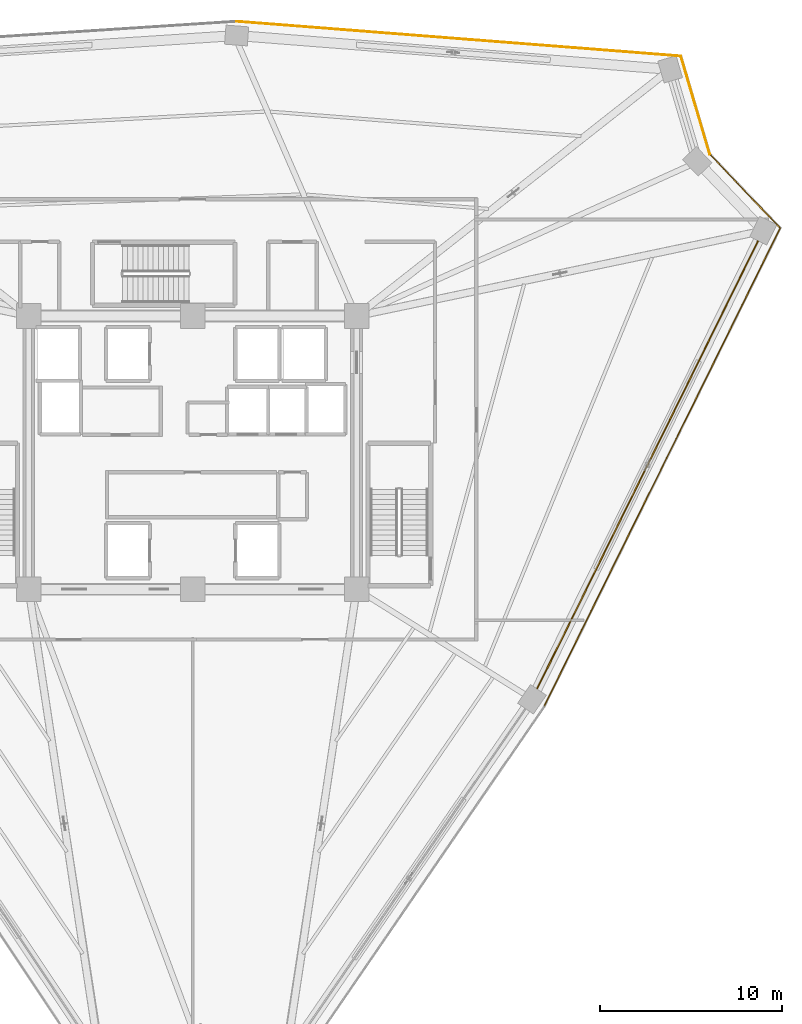
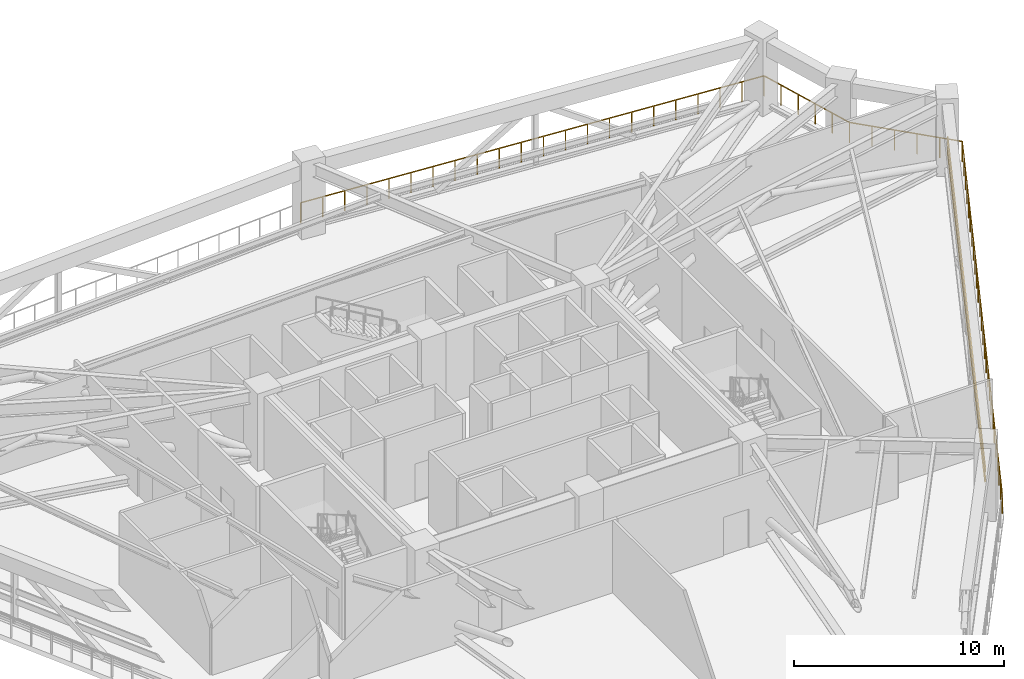
# One storey, part 22 of 22: 4 railings, 2 shading devices.
"""IFC4 building model written with IfcOpenShell, lengths in metres."""

from ifc_helpers import new_model, si_unit, direction, frame, origin, origin_2d, place, context, subcontext, project, spatial, rectangle, extrude, source, transform, mapped, material, material_profile, profile_set, type_object, element, save


model = new_model("IFC4")

# Units and contexts
model_context = context("Model", 3, precision=1e-05, world=origin(), true_north=direction((0.0, 1.0)))
body_context = subcontext(model_context, "Body", "Model", "MODEL_VIEW")
ifc_project = project(units=[si_unit("LENGTHUNIT", "METRE"), si_unit("AREAUNIT", "SQUARE_METRE"), si_unit("VOLUMEUNIT", "CUBIC_METRE"), si_unit("PLANEANGLEUNIT", "RADIAN"), si_unit("MASSUNIT", "GRAM", prefix="KILO")], contexts=[model_context])

# Site, building, storey
site_placement = place(None, origin())
site = spatial("IfcSite", under=ifc_project, at=site_placement, CompositionType="ELEMENT")
building_placement = place(site_placement, origin())
building = spatial("IfcBuilding", under=site, at=building_placement, Name="Liaohun Quay Tower", CompositionType="ELEMENT")
storey_placement = place(building_placement, frame((0.0, 0.0, 277.5)))
storey = spatial("IfcBuildingStorey", under=building, at=storey_placement, Name="L72", CompositionType="ELEMENT", Elevation=277.5)

# Railings
ifc_material_1 = material(Name="Galvanised and powder-coated steel", Category="steel")
railing_type = type_object("IfcRailingType", Name="RLG-GUARD-EXT", PredefinedType="GUARDRAIL", material=ifc_material_1)
railing_1_placement = place(storey_placement, frame((62.416015625, 77.6708984375, 0.0)))
element("IfcRailing", 1, at=railing_1_placement, inside=storey, type_object=railing_type, Name="L72 Open Refuge Band Perimeter Guardrail 06", PredefinedType="GUARDRAIL", context=body_context, shape_type="SweptSolid", body=[
    extrude(rectangle(XDim=0.048095703125, YDim=0.048095703125, at=origin_2d()), frame((0.0, 0.0, 1.17578125), z_axis=(0.996965688997, -0.077842244078, 0.0), x_axis=(0.077842244078, 0.996965688997, 0.0)), (0.0, 0.0, 1.0), 24.457275390625),
    extrude(rectangle(XDim=0.0419921875, YDim=0.0419921875, at=origin_2d()), origin(), (0.0, 0.0, 1.0), 1.15185546875),
    extrude(rectangle(XDim=0.0419921875, YDim=0.0419921875, at=origin_2d()), frame((1.1611328125, -0.090576171875, 0.0)), (0.0, 0.0, 1.0), 1.15185546875),
    extrude(rectangle(XDim=0.0419921875, YDim=0.0419921875, at=origin_2d()), frame((2.322265625, -0.181396484375, 0.0)), (0.0, 0.0, 1.0), 1.15185546875),
    extrude(rectangle(XDim=0.0419921875, YDim=0.0419921875, at=origin_2d()), frame((3.4833984375, -0.27197265625, 0.0)), (0.0, 0.0, 1.0), 1.15185546875),
    extrude(rectangle(XDim=0.0419921875, YDim=0.0419921875, at=origin_2d()), frame((4.644287109375, -0.362548828125, 0.0)), (0.0, 0.0, 1.0), 1.15185546875),
    extrude(rectangle(XDim=0.0419921875, YDim=0.0419921875, at=origin_2d()), frame((5.805419921875, -0.453369140625, 0.0)), (0.0, 0.0, 1.0), 1.15185546875),
    extrude(rectangle(XDim=0.0419921875, YDim=0.0419921875, at=origin_2d()), frame((6.966552734375, -0.5439453125, 0.0)), (0.0, 0.0, 1.0), 1.15185546875),
    extrude(rectangle(XDim=0.0419921875, YDim=0.0419921875, at=origin_2d()), frame((8.127685546875, -0.634521484375, 0.0)), (0.0, 0.0, 1.0), 1.15185546875),
    extrude(rectangle(XDim=0.0419921875, YDim=0.0419921875, at=origin_2d()), frame((9.288818359375, -0.725341796875, 0.0)), (0.0, 0.0, 1.0), 1.15185546875),
    extrude(rectangle(XDim=0.0419921875, YDim=0.0419921875, at=origin_2d()), frame((10.449951171875, -0.81591796875, 0.0)), (0.0, 0.0, 1.0), 1.15185546875),
    extrude(rectangle(XDim=0.0419921875, YDim=0.0419921875, at=origin_2d()), frame((11.611083984375, -0.906494140625, 0.0)), (0.0, 0.0, 1.0), 1.15185546875),
    extrude(rectangle(XDim=0.0419921875, YDim=0.0419921875, at=origin_2d()), frame((12.77197265625, -0.997314453125, 0.0)), (0.0, 0.0, 1.0), 1.15185546875),
    extrude(rectangle(XDim=0.0419921875, YDim=0.0419921875, at=origin_2d()), frame((13.93310546875, -1.087890625, 0.0)), (0.0, 0.0, 1.0), 1.15185546875),
    extrude(rectangle(XDim=0.0419921875, YDim=0.0419921875, at=origin_2d()), frame((15.09423828125, -1.178466796875, 0.0)), (0.0, 0.0, 1.0), 1.15185546875),
    extrude(rectangle(XDim=0.0419921875, YDim=0.0419921875, at=origin_2d()), frame((16.25537109375, -1.269287109375, 0.0)), (0.0, 0.0, 1.0), 1.15185546875),
    extrude(rectangle(XDim=0.0419921875, YDim=0.0419921875, at=origin_2d()), frame((17.41650390625, -1.35986328125, 0.0)), (0.0, 0.0, 1.0), 1.15185546875),
    extrude(rectangle(XDim=0.0419921875, YDim=0.0419921875, at=origin_2d()), frame((18.57763671875, -1.450439453125, 0.0)), (0.0, 0.0, 1.0), 1.15185546875),
    extrude(rectangle(XDim=0.0419921875, YDim=0.0419921875, at=origin_2d()), frame((19.73876953125, -1.541259765625, 0.0)), (0.0, 0.0, 1.0), 1.15185546875),
    extrude(rectangle(XDim=0.0419921875, YDim=0.0419921875, at=origin_2d()), frame((20.899658203125, -1.6318359375, 0.0)), (0.0, 0.0, 1.0), 1.15185546875),
    extrude(rectangle(XDim=0.0419921875, YDim=0.0419921875, at=origin_2d()), frame((22.060791015625, -1.722412109375, 0.0)), (0.0, 0.0, 1.0), 1.15185546875),
    extrude(rectangle(XDim=0.0419921875, YDim=0.0419921875, at=origin_2d()), frame((23.221923828125, -1.813232421875, 0.0)), (0.0, 0.0, 1.0), 1.15185546875),
    extrude(rectangle(XDim=0.0419921875, YDim=0.0419921875, at=origin_2d()), frame((24.383056640625, -1.90380859375, 0.0)), (0.0, 0.0, 1.0), 1.15185546875),
])
railing_2_placement = place(storey_placement, frame((86.799072265625, 75.76708984375, 0.0)))
element("IfcRailing", 2, at=railing_2_placement, inside=storey, type_object=railing_type, Name="L72 Open Refuge Band Perimeter Guardrail 07", PredefinedType="GUARDRAIL", context=body_context, shape_type="SweptSolid", body=[
    extrude(rectangle(XDim=0.048095703125, YDim=0.048095703125, at=origin_2d()), frame((0.0, 0.0, 1.17578125), z_axis=(0.282635341525, -0.959227430655, 0.0), x_axis=(0.959227430655, 0.282635341525, 0.0)), (0.0, 0.0, 1.0), 5.60791015625),
    extrude(rectangle(XDim=0.0419921875, YDim=0.0419921875, at=origin_2d()), origin(), (0.0, 0.0, 1.0), 1.15185546875),
    extrude(rectangle(XDim=0.0419921875, YDim=0.0419921875, at=origin_2d()), frame((0.31689453125, -1.075927734375, 0.0)), (0.0, 0.0, 1.0), 1.15185546875),
    extrude(rectangle(XDim=0.0419921875, YDim=0.0419921875, at=origin_2d()), frame((0.634033203125, -2.151611328125, 0.0)), (0.0, 0.0, 1.0), 1.15185546875),
    extrude(rectangle(XDim=0.0419921875, YDim=0.0419921875, at=origin_2d()), frame((0.950927734375, -3.2275390625, 0.0)), (0.0, 0.0, 1.0), 1.15185546875),
    extrude(rectangle(XDim=0.0419921875, YDim=0.0419921875, at=origin_2d()), frame((1.26806640625, -4.30322265625, 0.0)), (0.0, 0.0, 1.0), 1.15185546875),
    extrude(rectangle(XDim=0.0419921875, YDim=0.0419921875, at=origin_2d()), frame((1.5849609375, -5.379150390625, 0.0)), (0.0, 0.0, 1.0), 1.15185546875),
])
railing_3_placement = place(storey_placement, frame((88.384033203125, 70.387939453125, 0.0)))
element("IfcRailing", 3, at=railing_3_placement, inside=storey, type_object=railing_type, Name="L72 Open Refuge Band Perimeter Guardrail 08", PredefinedType="GUARDRAIL", context=body_context, shape_type="SweptSolid", body=[
    extrude(rectangle(XDim=0.048095703125, YDim=0.048095703125, at=origin_2d()), frame((0.0, 0.0, 1.17578125), z_axis=(0.689319133401, -0.724457819564, 0.0), x_axis=(0.724457819564, 0.689319133401, 0.0)), (0.0, 0.0, 1.0), 5.60693359375),
    extrude(rectangle(XDim=0.0419921875, YDim=0.0419921875, at=origin_2d()), origin(), (0.0, 0.0, 1.0), 1.15185546875),
    extrude(rectangle(XDim=0.0419921875, YDim=0.0419921875, at=origin_2d()), frame((0.77294921875, -0.8125, 0.0)), (0.0, 0.0, 1.0), 1.15185546875),
    extrude(rectangle(XDim=0.0419921875, YDim=0.0419921875, at=origin_2d()), frame((1.5458984375, -1.624755859375, 0.0)), (0.0, 0.0, 1.0), 1.15185546875),
    extrude(rectangle(XDim=0.0419921875, YDim=0.0419921875, at=origin_2d()), frame((2.319091796875, -2.437255859375, 0.0)), (0.0, 0.0, 1.0), 1.15185546875),
    extrude(rectangle(XDim=0.0419921875, YDim=0.0419921875, at=origin_2d()), frame((3.092041015625, -3.24951171875, 0.0)), (0.0, 0.0, 1.0), 1.15185546875),
    extrude(rectangle(XDim=0.0419921875, YDim=0.0419921875, at=origin_2d()), frame((3.864990234375, -4.06201171875, 0.0)), (0.0, 0.0, 1.0), 1.15185546875),
])
railing_4_placement = place(storey_placement, frame((92.2490234375, 66.325927734375, 0.0)))
element("IfcRailing", 4, at=railing_4_placement, inside=storey, type_object=railing_type, Name="L72 Open Refuge Band Perimeter Guardrail 09", PredefinedType="GUARDRAIL", context=body_context, shape_type="SweptSolid", body=[
    extrude(rectangle(XDim=0.048095703125, YDim=0.048095703125, at=origin_2d()), frame((0.0, 0.0, 1.17578125), z_axis=(-0.442591267538, -0.896723463448, 0.0), x_axis=(0.896723463448, -0.442591267538, 0.0)), (0.0, 0.0, 1.0), 29.277587890625),
    extrude(rectangle(XDim=0.0419921875, YDim=0.0419921875, at=origin_2d()), origin(), (0.0, 0.0, 1.0), 1.15185546875),
    extrude(rectangle(XDim=0.0419921875, YDim=0.0419921875, at=origin_2d()), frame((-0.518310546875, -1.050048828125, 0.0)), (0.0, 0.0, 1.0), 1.15185546875),
    extrude(rectangle(XDim=0.0419921875, YDim=0.0419921875, at=origin_2d()), frame((-1.03662109375, -2.100341796875, 0.0)), (0.0, 0.0, 1.0), 1.15185546875),
    extrude(rectangle(XDim=0.0419921875, YDim=0.0419921875, at=origin_2d()), frame((-1.554931640625, -3.150390625, 0.0)), (0.0, 0.0, 1.0), 1.15185546875),
    extrude(rectangle(XDim=0.0419921875, YDim=0.0419921875, at=origin_2d()), frame((-2.0732421875, -4.20068359375, 0.0)), (0.0, 0.0, 1.0), 1.15185546875),
    extrude(rectangle(XDim=0.0419921875, YDim=0.0419921875, at=origin_2d()), frame((-2.591552734375, -5.250732421875, 0.0)), (0.0, 0.0, 1.0), 1.15185546875),
    extrude(rectangle(XDim=0.0419921875, YDim=0.0419921875, at=origin_2d()), frame((-3.10986328125, -6.301025390625, 0.0)), (0.0, 0.0, 1.0), 1.15185546875),
    extrude(rectangle(XDim=0.0419921875, YDim=0.0419921875, at=origin_2d()), frame((-3.628173828125, -7.35107421875, 0.0)), (0.0, 0.0, 1.0), 1.15185546875),
    extrude(rectangle(XDim=0.0419921875, YDim=0.0419921875, at=origin_2d()), frame((-4.146484375, -8.4013671875, 0.0)), (0.0, 0.0, 1.0), 1.15185546875),
    extrude(rectangle(XDim=0.0419921875, YDim=0.0419921875, at=origin_2d()), frame((-4.664794921875, -9.451416015625, 0.0)), (0.0, 0.0, 1.0), 1.15185546875),
    extrude(rectangle(XDim=0.0419921875, YDim=0.0419921875, at=origin_2d()), frame((-5.18310546875, -10.50146484375, 0.0)), (0.0, 0.0, 1.0), 1.15185546875),
    extrude(rectangle(XDim=0.0419921875, YDim=0.0419921875, at=origin_2d()), frame((-5.701416015625, -11.5517578125, 0.0)), (0.0, 0.0, 1.0), 1.15185546875),
    extrude(rectangle(XDim=0.0419921875, YDim=0.0419921875, at=origin_2d()), frame((-6.2197265625, -12.601806640625, 0.0)), (0.0, 0.0, 1.0), 1.15185546875),
    extrude(rectangle(XDim=0.0419921875, YDim=0.0419921875, at=origin_2d()), frame((-6.73828125, -13.652099609375, 0.0)), (0.0, 0.0, 1.0), 1.15185546875),
    extrude(rectangle(XDim=0.0419921875, YDim=0.0419921875, at=origin_2d()), frame((-7.256591796875, -14.7021484375, 0.0)), (0.0, 0.0, 1.0), 1.15185546875),
    extrude(rectangle(XDim=0.0419921875, YDim=0.0419921875, at=origin_2d()), frame((-7.77490234375, -15.75244140625, 0.0)), (0.0, 0.0, 1.0), 1.15185546875),
    extrude(rectangle(XDim=0.0419921875, YDim=0.0419921875, at=origin_2d()), frame((-8.293212890625, -16.802490234375, 0.0)), (0.0, 0.0, 1.0), 1.15185546875),
    extrude(rectangle(XDim=0.0419921875, YDim=0.0419921875, at=origin_2d()), frame((-8.8115234375, -17.8525390625, 0.0)), (0.0, 0.0, 1.0), 1.15185546875),
    extrude(rectangle(XDim=0.0419921875, YDim=0.0419921875, at=origin_2d()), frame((-9.329833984375, -18.90283203125, 0.0)), (0.0, 0.0, 1.0), 1.15185546875),
    extrude(rectangle(XDim=0.0419921875, YDim=0.0419921875, at=origin_2d()), frame((-9.84814453125, -19.952880859375, 0.0)), (0.0, 0.0, 1.0), 1.15185546875),
    extrude(rectangle(XDim=0.0419921875, YDim=0.0419921875, at=origin_2d()), frame((-10.366455078125, -21.003173828125, 0.0)), (0.0, 0.0, 1.0), 1.15185546875),
    extrude(rectangle(XDim=0.0419921875, YDim=0.0419921875, at=origin_2d()), frame((-10.884765625, -22.05322265625, 0.0)), (0.0, 0.0, 1.0), 1.15185546875),
    extrude(rectangle(XDim=0.0419921875, YDim=0.0419921875, at=origin_2d()), frame((-11.403076171875, -23.103515625, 0.0)), (0.0, 0.0, 1.0), 1.15185546875),
    extrude(rectangle(XDim=0.0419921875, YDim=0.0419921875, at=origin_2d()), frame((-11.92138671875, -24.153564453125, 0.0)), (0.0, 0.0, 1.0), 1.15185546875),
    extrude(rectangle(XDim=0.0419921875, YDim=0.0419921875, at=origin_2d()), frame((-12.439697265625, -25.203857421875, 0.0)), (0.0, 0.0, 1.0), 1.15185546875),
    extrude(rectangle(XDim=0.0419921875, YDim=0.0419921875, at=origin_2d()), frame((-12.9580078125, -26.25390625, 0.0)), (0.0, 0.0, 1.0), 1.15185546875),
])

# Shading devices
ifc_material_2 = material(Name="Fluorocarbon-coated aluminium", Category="aluminium")
ifc_material_profile = material_profile(ifc_material_2, rectangle(XDim=0.06494140625, YDim=0.320068359375, at=origin_2d()), Name="ALU-LVR-320x65")
ifc_profile_set = profile_set([ifc_material_profile], Name="Fluorocarbon-coated aluminium")
shading_device_type = type_object("IfcShadingDeviceType", Name="SHD-LVR-REF", PredefinedType="USERDEFINED", material=ifc_profile_set)
shared_shape = source(origin(), body_context, "Body", "SweptSolid", [
    extrude(rectangle(XDim=0.06494140625, YDim=0.320068359375, at=origin_2d()), origin(), (0.0, 0.0, 1.0), 27.456298828125),
])
for number, where, z_axis, x_axis, name in (
    (5, (91.048095703125, 65.634033203125, 1.550048828125), (-0.44256239755, -0.896737712084, 0.0), (0.896737712084, -0.44256239755, 0.0), "L72 Refuge Plant Acoustic Louvre Blade LV-1-05"),
    (6, (91.048095703125, 65.634033203125, 2.14990234375), (-0.44256239755, -0.896737712084, 0.0), (0.896737712084, -0.44256239755, 0.0), "L72 Refuge Plant Acoustic Louvre Blade LV-1-06"),
):
    element("IfcShadingDevice", number, at=place(storey_placement, frame(where, z_axis=z_axis, x_axis=x_axis)), inside=storey, type_object=shading_device_type, Name=name, ObjectType="LOUVRE", PredefinedType="USERDEFINED", context=body_context, shape_type="MappedRepresentation", body=[
        mapped(shared_shape, transform((0.0, 0.0, 0.0), x_axis=(1.0, 0.0, 0.0), y_axis=(0.0, 1.0, 0.0), z_axis=(0.0, 0.0, 1.0), scale=1.0)),
    ])

save(model, "model.ifc")
